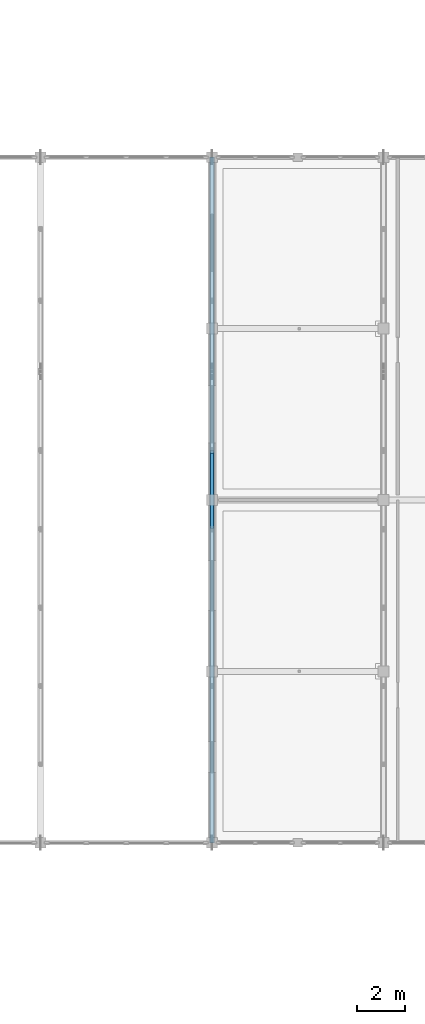
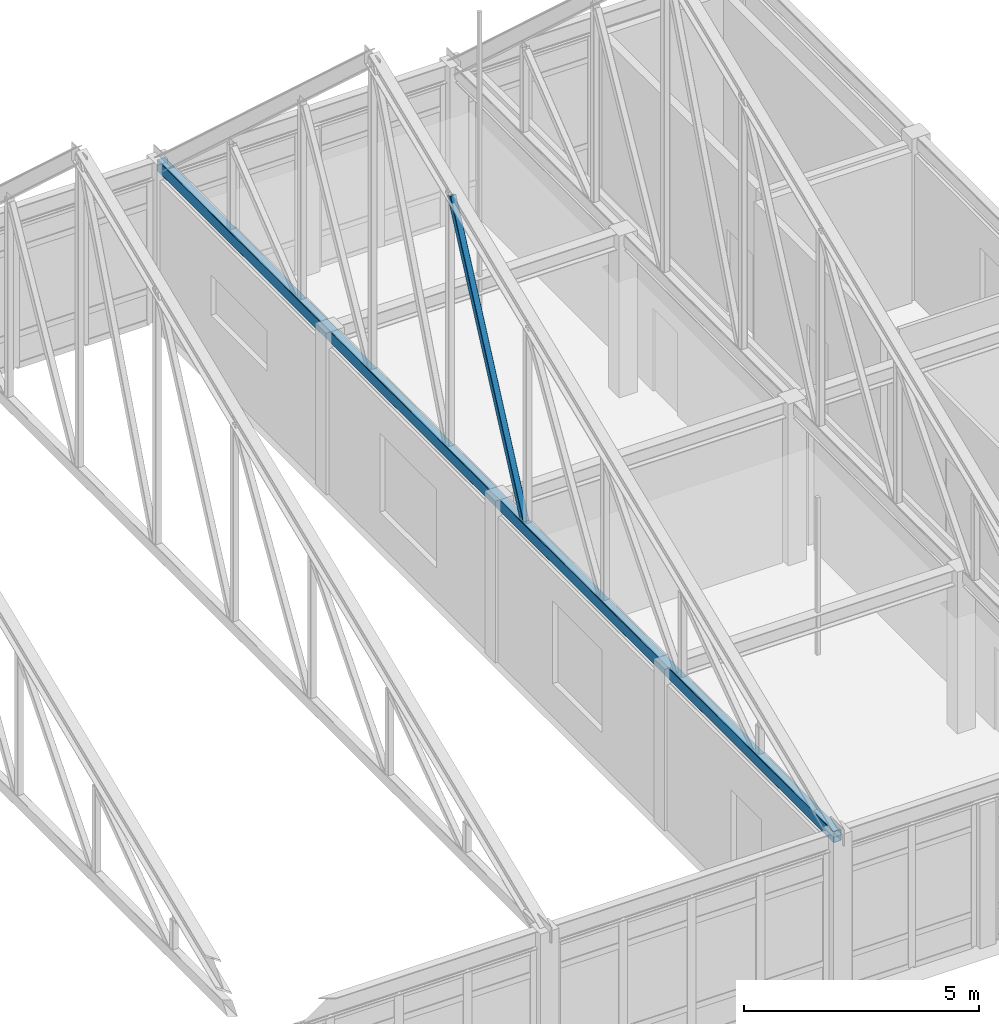
# One storey, part 34 of 136: 2 members.
"""IFC4 building model written with IfcOpenShell, lengths in metres."""

from ifc_helpers import new_model, si_unit, direction, frame, origin, origin_2d, place, context, subcontext, project, spatial, hollow_rectangle, extrude, material, material_profile, profile_set, type_object, element, save


model = new_model("IFC4")

# Units and contexts
model_context = context("Model", 3, precision=1e-05, world=origin(), true_north=direction((0.0, 1.0)))
body_context = subcontext(model_context, "Body", "Model", "MODEL_VIEW")
ifc_project = project(units=[si_unit("LENGTHUNIT", "METRE"), si_unit("AREAUNIT", "SQUARE_METRE"), si_unit("VOLUMEUNIT", "CUBIC_METRE"), si_unit("PLANEANGLEUNIT", "RADIAN"), si_unit("MASSUNIT", "GRAM", prefix="KILO")], contexts=[model_context])

# Site, building, storey
site_placement = place(None, origin())
site = spatial("IfcSite", under=ifc_project, at=site_placement, CompositionType="ELEMENT")
building_placement = place(site_placement, origin())
building = spatial("IfcBuilding", under=site, at=building_placement, Name="Koriwan Promenade Central Fire Station", CompositionType="ELEMENT")
storey_placement = place(building_placement, frame((0.0, 0.0, 5.39990234375)))
storey = spatial("IfcBuildingStorey", under=building, at=storey_placement, Name="L01", CompositionType="ELEMENT", Elevation=5.39990234375)

# Members
ifc_material = material(Name="Steel ASTM A500 Grade C", Category="steel")
ifc_material_profile_1 = material_profile(ifc_material, hollow_rectangle(XDim=0.199951171875, YDim=0.300048828125, WallThickness=0.011962890625, InnerFilletRadius=0.011962890625, OuterFilletRadius=0.02392578125, at=origin_2d()), Name="HSS300x200x12")
ifc_profile_set_1 = profile_set([ifc_material_profile_1], Name="Steel ASTM A500 Grade C")
member_type_1 = type_object("IfcMemberType", Name="Member_CHORD_HSS300x200x12", PredefinedType="CHORD", material=ifc_profile_set_1)
member_1_placement = place(storey_placement, frame((100.800048828125, 43.199951171875, 4.02001953125), z_axis=(0.0, 1.0, 0.0), x_axis=(-1.0, 0.0, 0.0)))
element("IfcMember", 1, at=member_1_placement, inside=storey, type_object=member_type_1, Name="TR_V1_07 bottom tie chord", PredefinedType="CHORD", context=body_context, shape_type="SweptSolid", body=[
    extrude(hollow_rectangle(XDim=0.199951171875, YDim=0.300048828125, WallThickness=0.011962890625, InnerFilletRadius=0.011962890625, OuterFilletRadius=0.02392578125, at=origin_2d()), origin(), (0.0, 0.0, 1.0), 28.800048828125),
])
ifc_material_profile_2 = material_profile(ifc_material, hollow_rectangle(XDim=0.14990234375, YDim=0.14990234375, WallThickness=0.008056640625, InnerFilletRadius=0.008056640625, OuterFilletRadius=0.01611328125, at=origin_2d()), Name="HSS150x150x8")
ifc_profile_set_2 = profile_set([ifc_material_profile_2], Name="Steel ASTM A500 Grade C")
member_type_2 = type_object("IfcMemberType", Name="Member_STRUT_HSS150x150x8", PredefinedType="STRUT", material=ifc_profile_set_2)
member_2_placement = place(storey_placement, frame((100.800048828125, 56.47998046875, 4.070068359375), z_axis=(0.0, 0.426803552064, 0.904344363583), x_axis=(-1.0, 0.0, 0.0)))
element("IfcMember", 2, at=member_2_placement, inside=storey, type_object=member_type_2, Name="TR_V1_07 web diagonal 5", PredefinedType="STRUT", context=body_context, shape_type="SweptSolid", body=[
    extrude(hollow_rectangle(XDim=0.14990234375, YDim=0.14990234375, WallThickness=0.008056640625, InnerFilletRadius=0.008056640625, OuterFilletRadius=0.01611328125, at=origin_2d()), origin(), (0.0, 0.0, 1.0), 7.357421875),
])

save(model, "model.ifc")
